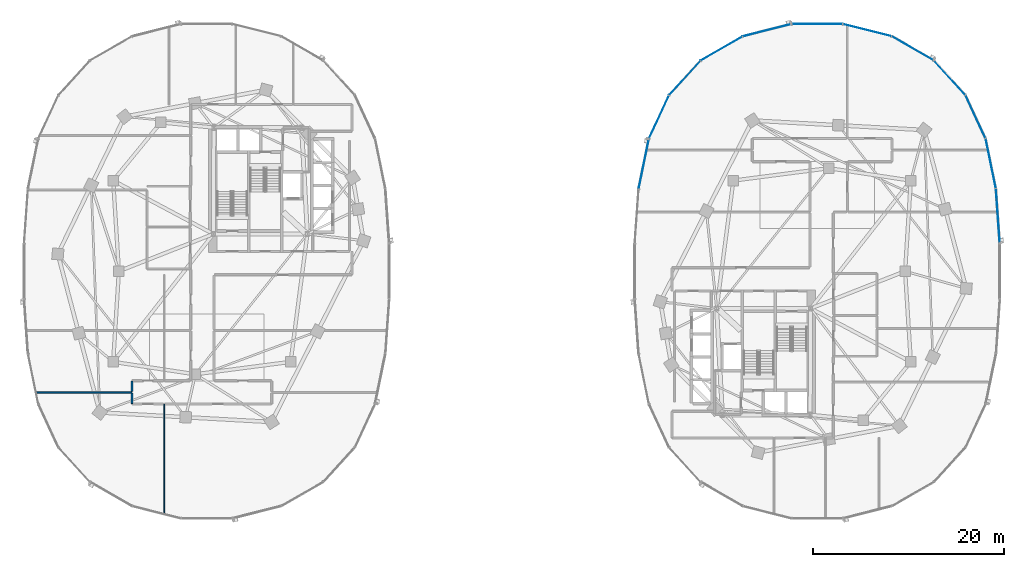
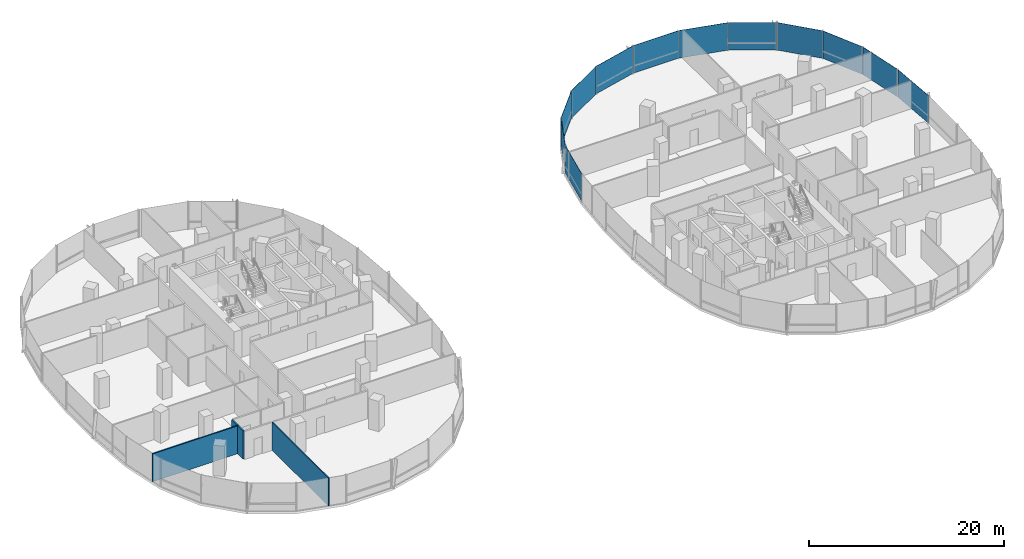
# One storey, part 10 of 22: 12 plates, 4 walls, 2 elements without a shape of their own.
"""IFC4 building model written with IfcOpenShell, lengths in metres."""

from ifc_helpers import new_model, si_unit, direction, frame, frame_2d, origin, origin_2d, place, context, subcontext, project, spatial, rectangle, extrude, material, layer, layer_set, type_object, element, aggregate, save


model = new_model("IFC4")

# Units and contexts
model_context = context("Model", 3, precision=1e-05, world=origin(), true_north=direction((0.0, 1.0)))
body_context = subcontext(model_context, "Body", "Model", "MODEL_VIEW")
ifc_project = project(units=[si_unit("LENGTHUNIT", "METRE"), si_unit("AREAUNIT", "SQUARE_METRE"), si_unit("VOLUMEUNIT", "CUBIC_METRE"), si_unit("PLANEANGLEUNIT", "RADIAN"), si_unit("MASSUNIT", "GRAM", prefix="KILO"), si_unit("THERMODYNAMICTEMPERATUREUNIT", "KELVIN"), si_unit("POWERUNIT", "WATT")], contexts=[model_context])

# Site, building, storey
site_placement = place(None, origin())
site = spatial("IfcSite", under=ifc_project, at=site_placement, CompositionType="ELEMENT")
building_placement = place(site_placement, origin())
building = spatial("IfcBuilding", under=site, at=building_placement, Name="Cundina Bronze Exchange", CompositionType="ELEMENT")
storey_placement = place(building_placement, frame((0.0, 0.0, 35.39990234375)))
storey = spatial("IfcBuildingStorey", under=building, at=storey_placement, Name="L08", CompositionType="ELEMENT", Elevation=35.39990234375)

# Curtain wall, plates
ifc_material_1 = material(Name="Anodised Bronze Aluminium 6063-T6", Category="aluminium")
curtain_wall_type = type_object("IfcCurtainWallType", Name="CWS-TRD-LOW", PredefinedType="NOTDEFINED", material=ifc_material_1)
curtain_wall_1_placement = place(storey_placement, origin())
curtain_wall_1 = element("IfcCurtainWall", 1, at=curtain_wall_1_placement, inside=storey, type_object=curtain_wall_type, Name="L08 CW-02 Curtain Wall Run CWR-L08-E1", PredefinedType="NOTDEFINED")
ifc_material_2 = material(Name="Heat-Strengthened Solar-Control Bronze Safety Glass 28mm", Category="glass")
ifc_layer_1 = layer(ifc_material_2, 0.028076171875, Name="Heat-Strengthened Solar-Control Bronze Safety Glass 28mm", Category="glass")
ifc_layer_set_1 = layer_set([ifc_layer_1], Name="Heat-Strengthened Solar-Control Bronze Safety Glass 28mm")
plate_type_1 = type_object("IfcPlateType", Name="PLT-GLZ-VIS28", PredefinedType="CURTAIN_PANEL", material=ifc_layer_set_1)
plate_1_placement = place(storey_placement, frame((50.9267578125, 5.783935546875, 0.02001953125), z_axis=(0.0, 0.0, 1.0), x_axis=(-0.070278787473, 0.997527389113, 0.0)))
plate_1 = element("IfcPlate", 2, at=plate_1_placement, type_object=plate_type_1, Name="CW-02 Glazed Panel 1", PredefinedType="CURTAIN_PANEL", context=body_context, shape_type="SweptSolid", body=[
    extrude(rectangle(XDim=5.644287109375, YDim=0.028076171875, at=origin_2d()), origin(), (0.0, 0.0, 1.0), 3.4599609375),
])
plate_2_placement = place(storey_placement, frame((48.586181640625, 16.177734375, 0.02001953125), z_axis=(0.0, 0.0, 1.0), x_axis=(-0.42084583328, 0.907132175932, 0.0)))
plate_2 = element("IfcPlate", 3, at=plate_2_placement, type_object=plate_type_1, Name="CW-02 Glazed Panel 3", PredefinedType="CURTAIN_PANEL", context=body_context, shape_type="SweptSolid", body=[
    extrude(rectangle(XDim=4.966552734375, YDim=0.028076171875, at=origin_2d()), origin(), (0.0, 0.0, 1.0), 3.4599609375),
])
plate_3_placement = place(storey_placement, frame((45.8740234375, 20.267333984375, 0.02001953125), z_axis=(0.0, 0.0, 1.0), x_axis=(-0.674276610219, 0.73847887777, 0.0)))
plate_3 = element("IfcPlate", 4, at=plate_3_placement, type_object=plate_type_1, Name="CW-02 Glazed Panel 4", PredefinedType="CURTAIN_PANEL", context=body_context, shape_type="SweptSolid", body=[
    extrude(rectangle(XDim=4.86328125, YDim=0.028076171875, at=origin_2d()), origin(), (0.0, 0.0, 1.0), 3.4599609375),
])
plate_4_placement = place(storey_placement, frame((42.019287109375, 23.34423828125, 0.02001953125), z_axis=(0.0, 0.0, 1.0), x_axis=(-0.867105478933, 0.498124571171, 0.0)))
plate_4 = element("IfcPlate", 5, at=plate_4_placement, type_object=plate_type_1, Name="CW-02 Glazed Panel 5", PredefinedType="CURTAIN_PANEL", context=body_context, shape_type="SweptSolid", body=[
    extrude(rectangle(XDim=5.021240234375, YDim=0.028076171875, at=origin_2d()), origin(), (0.0, 0.0, 1.0), 3.4599609375),
])
plate_5_placement = place(storey_placement, frame((37.255615234375, 25.256591796875, 0.02001953125), z_axis=(0.0, 0.0, 1.0), x_axis=(-0.969488149345, 0.245138182011, 0.0)))
plate_5 = element("IfcPlate", 6, at=plate_5_placement, type_object=plate_type_1, Name="CW-02 Glazed Panel 6", PredefinedType="CURTAIN_PANEL", context=body_context, shape_type="SweptSolid", body=[
    extrude(rectangle(XDim=5.2333984375, YDim=0.028076171875, at=origin_2d()), origin(), (0.0, 0.0, 1.0), 3.4599609375),
])

curtain_wall_2_placement = place(storey_placement, origin())
curtain_wall_2 = element("IfcCurtainWall", 7, at=curtain_wall_2_placement, inside=storey, type_object=curtain_wall_type, Name="L08 CW-02 Curtain Wall Run CWR-L08-E2", PredefinedType="NOTDEFINED")
plate_6_placement = place(storey_placement, frame((21.980712890625, 23.34423828125, 0.02001953125), z_axis=(0.0, 0.0, 1.0), x_axis=(-0.867105478933, -0.498124571171, 0.0)))
plate_6 = element("IfcPlate", 8, at=plate_6_placement, type_object=plate_type_1, Name="CW-02 Glazed Panel 2", PredefinedType="CURTAIN_PANEL", context=body_context, shape_type="SweptSolid", body=[
    extrude(rectangle(XDim=5.021240234375, YDim=0.028076171875, at=origin_2d()), origin(), (0.0, 0.0, 1.0), 3.4599609375),
])
plate_7_placement = place(storey_placement, frame((18.1259765625, 20.267333984375, 0.02001953125), z_axis=(0.0, 0.0, 1.0), x_axis=(-0.674276610219, -0.73847887777, 0.0)))
plate_7 = element("IfcPlate", 9, at=plate_7_placement, type_object=plate_type_1, Name="CW-02 Glazed Panel 3", PredefinedType="CURTAIN_PANEL", context=body_context, shape_type="SweptSolid", body=[
    extrude(rectangle(XDim=4.86328125, YDim=0.028076171875, at=origin_2d()), origin(), (0.0, 0.0, 1.0), 3.4599609375),
])
plate_8_placement = place(storey_placement, frame((15.413818359375, 16.177734375, 0.02001953125), z_axis=(0.0, 0.0, 1.0), x_axis=(-0.42084583328, -0.907132175932, 0.0)))
plate_8 = element("IfcPlate", 10, at=plate_8_placement, type_object=plate_type_1, Name="CW-02 Glazed Panel 4", PredefinedType="CURTAIN_PANEL", context=body_context, shape_type="SweptSolid", body=[
    extrude(rectangle(XDim=4.966552734375, YDim=0.028076171875, at=origin_2d()), origin(), (0.0, 0.0, 1.0), 3.4599609375),
])
plate_9_placement = place(storey_placement, frame((13.81591796875, 11.269775390625, 0.02001953125), z_axis=(0.0, 0.0, 1.0), x_axis=(-0.201419845156, -0.979505000486, 0.0)))
plate_9 = element("IfcPlate", 11, at=plate_9_placement, type_object=plate_type_1, Name="CW-02 Glazed Panel 5", PredefinedType="CURTAIN_PANEL", context=body_context, shape_type="SweptSolid", body=[
    extrude(rectangle(XDim=5.306640625, YDim=0.028076171875, at=origin_2d()), origin(), (0.0, 0.0, 1.0), 3.4599609375),
])

# Plate
ifc_material_3 = material(Name="Dark Bronze Spandrel Glass Panel 32mm", Category="glass")
ifc_layer_2 = layer(ifc_material_3, 0.031982421875, Name="Dark Bronze Spandrel Glass Panel 32mm", Category="glass")
ifc_layer_set_2 = layer_set([ifc_layer_2], Name="Dark Bronze Spandrel Glass Panel 32mm")
plate_type_2 = type_object("IfcPlateType", Name="PLT-SPN-BRZ32", PredefinedType="CURTAIN_PANEL", material=ifc_layer_set_2)
plate_10_placement = place(storey_placement, frame((50.18408203125, 11.269775390625, 0.02001953125), z_axis=(0.0, 0.0, 1.0), x_axis=(-0.201419845156, 0.979505000486, 0.0)))
plate_10 = element("IfcPlate", 12, at=plate_10_placement, type_object=plate_type_2, Name="CW-02 Glazed Panel 2", PredefinedType="CURTAIN_PANEL", context=body_context, shape_type="SweptSolid", body=[
    extrude(rectangle(XDim=5.306640625, YDim=0.031982421875, at=origin_2d()), origin(), (0.0, 0.0, 1.0), 3.4599609375),
])

plate_11_placement = place(storey_placement, frame((32.0, 25.905029296875, 0.02001953125), z_axis=(0.0, 0.0, 1.0), x_axis=(-1.0, 0.0, 0.0)))
plate_11 = element("IfcPlate", 13, at=plate_11_placement, type_object=plate_type_2, Name="CW-02 Glazed Panel 7", PredefinedType="CURTAIN_PANEL", context=body_context, shape_type="SweptSolid", body=[
    extrude(rectangle(XDim=5.323974609375, YDim=0.031982421875, at=origin_2d()), origin(), (0.0, 0.0, 1.0), 3.4599609375),
])

aggregate(curtain_wall_1, [plate_1, plate_10, plate_2, plate_3, plate_4, plate_5, plate_11])

plate_12_placement = place(storey_placement, frame((26.744384765625, 25.256591796875, 0.02001953125), z_axis=(0.0, 0.0, 1.0), x_axis=(-0.969488149345, -0.245138182011, 0.0)))
plate_12 = element("IfcPlate", 14, at=plate_12_placement, type_object=plate_type_2, Name="CW-02 Glazed Panel 1", PredefinedType="CURTAIN_PANEL", context=body_context, shape_type="SweptSolid", body=[
    extrude(rectangle(XDim=5.2333984375, YDim=0.031982421875, at=origin_2d()), origin(), (0.0, 0.0, 1.0), 3.4599609375),
])

aggregate(curtain_wall_2, [plate_12, plate_6, plate_7, plate_8, plate_9])

# Walls
ifc_material_4 = material(Name="Gypsum Fireboard Partition EI120")
ifc_layer_3 = layer(ifc_material_4, 0.179931640625, Name="Gypsum Fireboard Partition EI120")
ifc_layer_set_3 = layer_set([ifc_layer_3], Name="Gypsum Fireboard Partition EI120")
wall_type_1 = type_object("IfcWallType", Name="WL-COR-180", PredefinedType="PARTITIONING", material=ifc_layer_set_3)
wall_1_placement = place(storey_placement, frame((-39.820068359375, -12.780029296875, 0.0), z_axis=(0.0, 0.0, 1.0), x_axis=(0.0, -1.0, 0.0)))
element("IfcWall", 15, at=wall_1_placement, inside=storey, type_object=wall_type_1, Name="L08 Interior Partition 031", PredefinedType="PARTITIONING", context=body_context, shape_type="SweptSolid", body=[
    extrude(rectangle(XDim=1.098388671875, YDim=0.179931640625, at=frame_2d((0.54931640625, 0.0))), origin(), (0.0, 0.0, 1.0), 3.5),
])
wall_2_placement = place(storey_placement, frame((-39.820068359375, -11.521484375, 0.0), z_axis=(0.0, 0.0, 1.0), x_axis=(0.0, -1.0, 0.0)))
element("IfcWall", 16, at=wall_2_placement, inside=storey, type_object=wall_type_1, Name="L08 Interior Partition 033", PredefinedType="PARTITIONING", context=body_context, shape_type="SweptSolid", body=[
    extrude(rectangle(XDim=1.07861328125, YDim=0.179931640625, at=frame_2d((0.539306640625, 0.0))), origin(), (0.0, 0.0, 1.0), 3.5),
])
ifc_material_5 = material(Name="Gypsum Acoustic Partition EI60")
ifc_layer_4 = layer(ifc_material_5, 0.125, Name="Gypsum Acoustic Partition EI60")
ifc_layer_set_4 = layer_set([ifc_layer_4], Name="Gypsum Acoustic Partition EI60")
wall_type_2 = type_object("IfcWallType", Name="WL-OFF-125", PredefinedType="PARTITIONING", material=ifc_layer_set_4)
wall_3_placement = place(storey_placement, frame((-36.4599609375, -25.540771484375, 0.0), z_axis=(0.0, 0.0, 1.0), x_axis=(0.0, 1.0, 0.0)))
element("IfcWall", 17, at=wall_3_placement, inside=storey, type_object=wall_type_2, Name="L08 Interior Partition 015", PredefinedType="PARTITIONING", context=body_context, shape_type="SweptSolid", body=[
    extrude(rectangle(XDim=11.5908203125, YDim=0.125, at=frame_2d((5.79541015625, 0.0))), origin(), (0.0, 0.0, 1.0), 3.5),
])
ifc_layer_5 = layer(ifc_material_5, 0.14990234375, Name="Gypsum Acoustic Partition EI60")
ifc_layer_set_5 = layer_set([ifc_layer_5], Name="Gypsum Acoustic Partition EI60")
wall_type_3 = type_object("IfcWallType", Name="WL-TEN-150", PredefinedType="PARTITIONING", material=ifc_layer_set_5)
wall_4_placement = place(storey_placement, frame((-49.97412109375, -12.68994140625, 0.0), z_axis=(0.0, 0.0, 1.0), x_axis=(1.0, 0.0, 0.0)))
element("IfcWall", 18, at=wall_4_placement, inside=storey, type_object=wall_type_3, Name="L08 Interior Partition 021", PredefinedType="PARTITIONING", context=body_context, shape_type="SweptSolid", body=[
    extrude(rectangle(XDim=10.1240234375, YDim=0.14990234375, at=frame_2d((5.06201171875, 0.0))), origin(), (0.0, 0.0, 1.0), 3.5),
])

save(model, "model.ifc")
